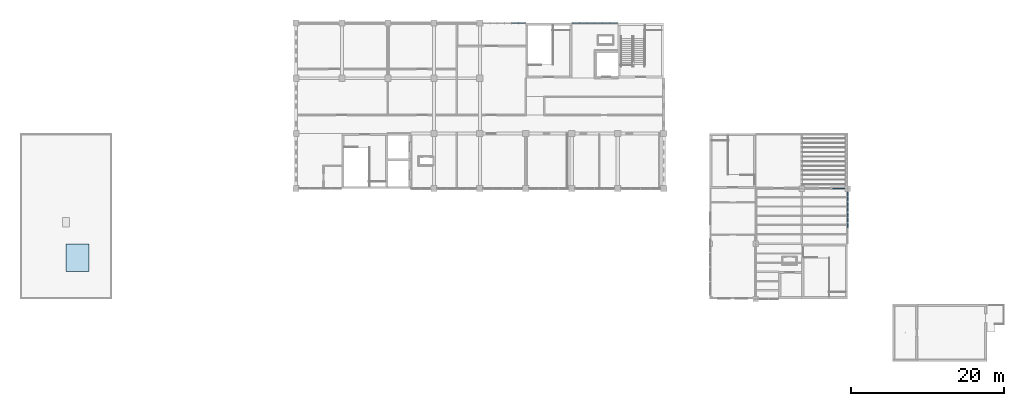
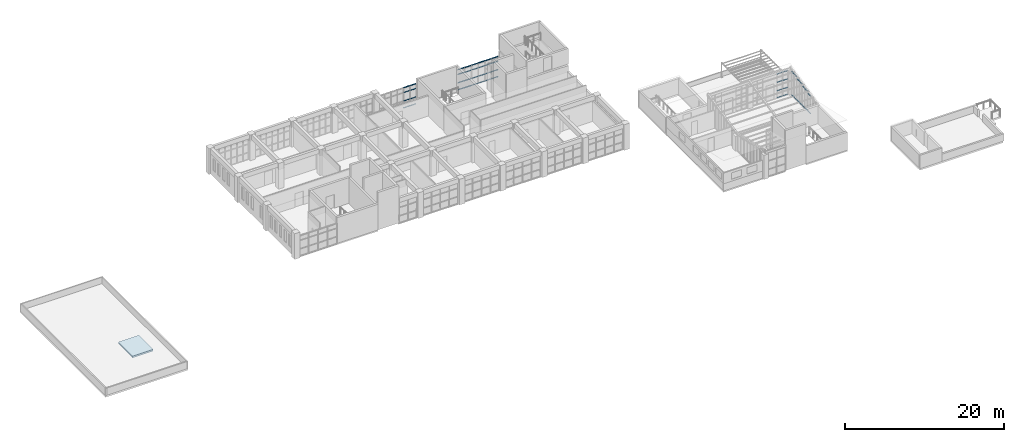
# One storey, part 30 of 51: 54 members, 1 slab, 7 elements without a shape of their own.
"""IFC4 building model written with IfcOpenShell, lengths in metres."""

from ifc_helpers import new_model, si_unit, direction, frame, origin, origin_2d, place, context, subcontext, project, spatial, polyline, hollow_rectangle, outline, extrude, material, layer, layer_set, material_profile, profile_set, type_object, element, aggregate, save


model = new_model("IFC4")

# Units and contexts
model_context = context("Model", 3, precision=1e-05, world=origin(), true_north=direction((0.0, 1.0)))
body_context = subcontext(model_context, "Body", "Model", "MODEL_VIEW")
ifc_project = project(units=[si_unit("LENGTHUNIT", "METRE"), si_unit("AREAUNIT", "SQUARE_METRE"), si_unit("VOLUMEUNIT", "CUBIC_METRE"), si_unit("PLANEANGLEUNIT", "RADIAN"), si_unit("MASSUNIT", "GRAM", prefix="KILO")], contexts=[model_context])

# Site, building, storey
site_placement = place(None, origin())
site = spatial("IfcSite", under=ifc_project, at=site_placement, CompositionType="ELEMENT")
building_placement = place(site_placement, origin())
building = spatial("IfcBuilding", under=site, at=building_placement, Name="Laocheng Heights Fire and Rescue Headquarters", CompositionType="ELEMENT")
storey_placement = place(building_placement, frame((0.0, 0.0, 21.0)))
storey = spatial("IfcBuildingStorey", under=building, at=storey_placement, Name="L05", CompositionType="ELEMENT", Elevation=21.0)

# Curtain wall, members
ifc_material_1 = material(Name="Dark anodised aluminium unitised curtain wall, low-e double glazing", Category="aluminium")
curtain_wall_type_1 = type_object("IfcCurtainWallType", Name="CW 1370 x 2733 CREW LOUNGE END UNIT", PredefinedType="NOTDEFINED", material=ifc_material_1)
curtain_wall_1_placement = place(storey_placement, origin())
curtain_wall_1 = element("IfcCurtainWall", 1, at=curtain_wall_1_placement, inside=storey, type_object=curtain_wall_type_1, Name="X22-W CREW LOUNGE EAST 43 2", PredefinedType="NOTDEFINED")
ifc_material_2 = material(Name="Dark anodised aluminium 6063-T5 extrusion", Category="aluminium")
ifc_material_profile_1 = material_profile(ifc_material_2, hollow_rectangle(XDim=0.10009765625, YDim=0.050048828125, WallThickness=0.0029296875, at=origin_2d()), Name="AL TRANSOM 100x50x3 CREW LOUNGE END UNIT")
ifc_profile_set_1 = profile_set([ifc_material_profile_1], Name="Dark anodised aluminium 6063-T5 extrusion")
member_type_1 = type_object("IfcMemberType", Name="AL TRANSOM 100x50x3 CREW LOUNGE END UNIT", PredefinedType="USERDEFINED", material=ifc_profile_set_1)
member_1_placement = place(storey_placement, frame((108.0, 45.284912109375, 0.02490234375), z_axis=(0.0, 1.0, 0.0), x_axis=(-1.0, 0.0, 0.0)))
member_1 = element("IfcMember", 2, at=member_1_placement, type_object=member_type_1, Name="X22-W transom 2.1", ObjectType="TRANSOM", PredefinedType="USERDEFINED", context=body_context, shape_type="SweptSolid", body=[
    extrude(hollow_rectangle(XDim=0.10009765625, YDim=0.050048828125, WallThickness=0.0029296875, at=origin_2d()), origin(), (0.0, 0.0, 1.0), 0.594970703125),
])
member_2_placement = place(storey_placement, frame((108.0, 45.284912109375, 2.70849609375), z_axis=(0.0, 1.0, 0.0), x_axis=(-1.0, 0.0, 0.0)))
member_2 = element("IfcMember", 3, at=member_2_placement, type_object=member_type_1, Name="X22-W transom 2.2", ObjectType="TRANSOM", PredefinedType="USERDEFINED", context=body_context, shape_type="SweptSolid", body=[
    extrude(hollow_rectangle(XDim=0.10009765625, YDim=0.050048828125, WallThickness=0.0029296875, at=origin_2d()), origin(), (0.0, 0.0, 1.0), 0.594970703125),
])
aggregate(curtain_wall_1, [member_1, member_2])

ifc_material_3 = material(Name="Dark anodised aluminium unitised curtain wall, low-e double glazing", Category="aluminium")
curtain_wall_type_2 = type_object("IfcCurtainWallType", Name="CW 1370 x 3038 CREW LOUNGE END UNIT", PredefinedType="NOTDEFINED", material=ifc_material_3)
curtain_wall_2_placement = place(storey_placement, origin())
curtain_wall_2 = element("IfcCurtainWall", 4, at=curtain_wall_2_placement, inside=storey, type_object=curtain_wall_type_2, Name="X23-W CREW LOUNGE EAST 43 3", PredefinedType="NOTDEFINED")
member_3_placement = place(storey_placement, frame((108.0, 46.0, 0.02490234375), z_axis=(0.0, 1.0, 0.0), x_axis=(-1.0, 0.0, 0.0)))
member_3 = element("IfcMember", 5, at=member_3_placement, type_object=member_type_1, Name="X23-W transom 1.1", ObjectType="TRANSOM", PredefinedType="USERDEFINED", context=body_context, shape_type="SweptSolid", body=[
    extrude(hollow_rectangle(XDim=0.10009765625, YDim=0.050048828125, WallThickness=0.0029296875, at=origin_2d()), origin(), (0.0, 0.0, 1.0), 0.594970703125),
])
member_4_placement = place(storey_placement, frame((108.0, 46.0, 3.012939453125), z_axis=(0.0, 1.0, 0.0), x_axis=(-1.0, 0.0, 0.0)))
member_4 = element("IfcMember", 6, at=member_4_placement, type_object=member_type_1, Name="X23-W transom 1.2", ObjectType="TRANSOM", PredefinedType="USERDEFINED", context=body_context, shape_type="SweptSolid", body=[
    extrude(hollow_rectangle(XDim=0.10009765625, YDim=0.050048828125, WallThickness=0.0029296875, at=origin_2d()), origin(), (0.0, 0.0, 1.0), 0.594970703125),
])
member_5_placement = place(storey_placement, frame((108.0, 46.655029296875, 0.02490234375), z_axis=(0.0, 1.0, 0.0), x_axis=(-1.0, 0.0, 0.0)))
member_5 = element("IfcMember", 7, at=member_5_placement, type_object=member_type_1, Name="X23-W transom 2.1", ObjectType="TRANSOM", PredefinedType="USERDEFINED", context=body_context, shape_type="SweptSolid", body=[
    extrude(hollow_rectangle(XDim=0.10009765625, YDim=0.050048828125, WallThickness=0.0029296875, at=origin_2d()), origin(), (0.0, 0.0, 1.0), 0.594970703125),
])
member_6_placement = place(storey_placement, frame((108.0, 46.655029296875, 3.012939453125), z_axis=(0.0, 1.0, 0.0), x_axis=(-1.0, 0.0, 0.0)))
member_6 = element("IfcMember", 8, at=member_6_placement, type_object=member_type_1, Name="X23-W transom 2.2", ObjectType="TRANSOM", PredefinedType="USERDEFINED", context=body_context, shape_type="SweptSolid", body=[
    extrude(hollow_rectangle(XDim=0.10009765625, YDim=0.050048828125, WallThickness=0.0029296875, at=origin_2d()), origin(), (0.0, 0.0, 1.0), 0.594970703125),
])
aggregate(curtain_wall_2, [member_3, member_4, member_5, member_6])

ifc_material_4 = material(Name="Dark anodised aluminium unitised curtain wall, low-e double glazing", Category="aluminium")
curtain_wall_type_3 = type_object("IfcCurtainWallType", Name="CW 1370 x 3342 CREW LOUNGE END UNIT", PredefinedType="NOTDEFINED", material=ifc_material_4)
curtain_wall_3_placement = place(storey_placement, origin())
curtain_wall_3 = element("IfcCurtainWall", 9, at=curtain_wall_3_placement, inside=storey, type_object=curtain_wall_type_3, Name="X24-W CREW LOUNGE EAST 43 4", PredefinedType="NOTDEFINED")
member_7_placement = place(storey_placement, frame((108.0, 47.3701171875, 0.02490234375), z_axis=(0.0, 1.0, 0.0), x_axis=(-1.0, 0.0, 0.0)))
member_7 = element("IfcMember", 10, at=member_7_placement, type_object=member_type_1, Name="X24-W transom 1.1", ObjectType="TRANSOM", PredefinedType="USERDEFINED", context=body_context, shape_type="SweptSolid", body=[
    extrude(hollow_rectangle(XDim=0.10009765625, YDim=0.050048828125, WallThickness=0.0029296875, at=origin_2d()), origin(), (0.0, 0.0, 1.0), 0.594970703125),
])
member_8_placement = place(storey_placement, frame((108.0, 47.3701171875, 3.3173828125), z_axis=(0.0, 1.0, 0.0), x_axis=(-1.0, 0.0, 0.0)))
member_8 = element("IfcMember", 11, at=member_8_placement, type_object=member_type_1, Name="X24-W transom 1.2", ObjectType="TRANSOM", PredefinedType="USERDEFINED", context=body_context, shape_type="SweptSolid", body=[
    extrude(hollow_rectangle(XDim=0.10009765625, YDim=0.050048828125, WallThickness=0.0029296875, at=origin_2d()), origin(), (0.0, 0.0, 1.0), 0.594970703125),
])
member_9_placement = place(storey_placement, frame((108.0, 48.02490234375, 0.02490234375), z_axis=(0.0, 1.0, 0.0), x_axis=(-1.0, 0.0, 0.0)))
member_9 = element("IfcMember", 12, at=member_9_placement, type_object=member_type_1, Name="X24-W transom 2.1", ObjectType="TRANSOM", PredefinedType="USERDEFINED", context=body_context, shape_type="SweptSolid", body=[
    extrude(hollow_rectangle(XDim=0.10009765625, YDim=0.050048828125, WallThickness=0.0029296875, at=origin_2d()), origin(), (0.0, 0.0, 1.0), 0.59521484375),
])
member_10_placement = place(storey_placement, frame((108.0, 48.02490234375, 3.3173828125), z_axis=(0.0, 1.0, 0.0), x_axis=(-1.0, 0.0, 0.0)))
member_10 = element("IfcMember", 13, at=member_10_placement, type_object=member_type_1, Name="X24-W transom 2.2", ObjectType="TRANSOM", PredefinedType="USERDEFINED", context=body_context, shape_type="SweptSolid", body=[
    extrude(hollow_rectangle(XDim=0.10009765625, YDim=0.050048828125, WallThickness=0.0029296875, at=origin_2d()), origin(), (0.0, 0.0, 1.0), 0.59521484375),
])
aggregate(curtain_wall_3, [member_7, member_8, member_9, member_10])

ifc_material_5 = material(Name="Dark anodised aluminium unitised curtain wall, low-e double glazing", Category="aluminium")
curtain_wall_type_4 = type_object("IfcCurtainWallType", Name="CW 1370 x 3647 CREW LOUNGE END UNIT", PredefinedType="NOTDEFINED", material=ifc_material_5)
curtain_wall_4_placement = place(storey_placement, origin())
curtain_wall_4 = element("IfcCurtainWall", 14, at=curtain_wall_4_placement, inside=storey, type_object=curtain_wall_type_4, Name="X25-W CREW LOUNGE EAST 43 5", PredefinedType="NOTDEFINED")
member_11_placement = place(storey_placement, frame((108.0, 48.739990234375, 0.02490234375), z_axis=(0.0, 1.0, 0.0), x_axis=(-1.0, 0.0, 0.0)))
member_11 = element("IfcMember", 15, at=member_11_placement, type_object=member_type_1, Name="X25-W transom 1.1", ObjectType="TRANSOM", PredefinedType="USERDEFINED", context=body_context, shape_type="SweptSolid", body=[
    extrude(hollow_rectangle(XDim=0.10009765625, YDim=0.050048828125, WallThickness=0.0029296875, at=origin_2d()), origin(), (0.0, 0.0, 1.0), 0.594970703125),
])
member_12_placement = place(storey_placement, frame((108.0, 48.739990234375, 3.621826171875), z_axis=(0.0, 1.0, 0.0), x_axis=(-1.0, 0.0, 0.0)))
member_12 = element("IfcMember", 16, at=member_12_placement, type_object=member_type_1, Name="X25-W transom 1.2", ObjectType="TRANSOM", PredefinedType="USERDEFINED", context=body_context, shape_type="SweptSolid", body=[
    extrude(hollow_rectangle(XDim=0.10009765625, YDim=0.050048828125, WallThickness=0.0029296875, at=origin_2d()), origin(), (0.0, 0.0, 1.0), 0.594970703125),
])
member_13_placement = place(storey_placement, frame((108.0, 49.39501953125, 0.02490234375), z_axis=(0.0, 1.0, 0.0), x_axis=(-1.0, 0.0, 0.0)))
member_13 = element("IfcMember", 17, at=member_13_placement, type_object=member_type_1, Name="X25-W transom 2.1", ObjectType="TRANSOM", PredefinedType="USERDEFINED", context=body_context, shape_type="SweptSolid", body=[
    extrude(hollow_rectangle(XDim=0.10009765625, YDim=0.050048828125, WallThickness=0.0029296875, at=origin_2d()), origin(), (0.0, 0.0, 1.0), 0.594970703125),
])
member_14_placement = place(storey_placement, frame((108.0, 49.39501953125, 3.621826171875), z_axis=(0.0, 1.0, 0.0), x_axis=(-1.0, 0.0, 0.0)))
member_14 = element("IfcMember", 18, at=member_14_placement, type_object=member_type_1, Name="X25-W transom 2.2", ObjectType="TRANSOM", PredefinedType="USERDEFINED", context=body_context, shape_type="SweptSolid", body=[
    extrude(hollow_rectangle(XDim=0.10009765625, YDim=0.050048828125, WallThickness=0.0029296875, at=origin_2d()), origin(), (0.0, 0.0, 1.0), 0.594970703125),
])
aggregate(curtain_wall_4, [member_11, member_12, member_13, member_14])

ifc_material_6 = material(Name="Dark anodised aluminium unitised curtain wall, low-e double glazing", Category="aluminium")
curtain_wall_type_5 = type_object("IfcCurtainWallType", Name="CW 1600 x 3714 CREW ROOF LOUNGE GLAZING", PredefinedType="NOTDEFINED", material=ifc_material_6)
curtain_wall_5_placement = place(storey_placement, origin())
curtain_wall_5 = element("IfcCurtainWall", 19, at=curtain_wall_5_placement, inside=storey, type_object=curtain_wall_type_5, Name="X11-W CREW LOUNGE NORTH L05", PredefinedType="NOTDEFINED")
ifc_material_7 = material(Name="Dark anodised aluminium 6063-T5 extrusion", Category="aluminium")
ifc_material_profile_2 = material_profile(ifc_material_7, hollow_rectangle(XDim=0.10009765625, YDim=0.050048828125, WallThickness=0.0029296875, at=origin_2d()), Name="AL TRANSOM 100x50x3 CREW ROOF LOUNGE GLAZING")
ifc_profile_set_2 = profile_set([ifc_material_profile_2], Name="Dark anodised aluminium 6063-T5 extrusion")
member_type_2 = type_object("IfcMemberType", Name="AL TRANSOM 100x50x3 CREW ROOF LOUNGE GLAZING", PredefinedType="USERDEFINED", material=ifc_profile_set_2)
member_15_placement = place(storey_placement, frame((106.050048828125, 50.39990234375, 0.02490234375), z_axis=(1.0, 0.0, 0.0), x_axis=(0.0, 1.0, 0.0)))
member_15 = element("IfcMember", 20, at=member_15_placement, type_object=member_type_2, Name="X11-W transom 1.1", ObjectType="TRANSOM", PredefinedType="USERDEFINED", context=body_context, shape_type="SweptSolid", body=[
    extrude(hollow_rectangle(XDim=0.10009765625, YDim=0.050048828125, WallThickness=0.0029296875, at=origin_2d()), origin(), (0.0, 0.0, 1.0), 0.77001953125),
])
member_16_placement = place(storey_placement, frame((106.050048828125, 50.39990234375, 1.10009765625), z_axis=(1.0, 0.0, 0.0), x_axis=(0.0, 1.0, 0.0)))
member_16 = element("IfcMember", 21, at=member_16_placement, type_object=member_type_2, Name="X11-W transom 1.2", ObjectType="TRANSOM", PredefinedType="USERDEFINED", context=body_context, shape_type="SweptSolid", body=[
    extrude(hollow_rectangle(XDim=0.10009765625, YDim=0.050048828125, WallThickness=0.0029296875, at=origin_2d()), origin(), (0.0, 0.0, 1.0), 0.77001953125),
])
member_17_placement = place(storey_placement, frame((106.050048828125, 50.39990234375, 2.39990234375), z_axis=(1.0, 0.0, 0.0), x_axis=(0.0, 1.0, 0.0)))
member_17 = element("IfcMember", 22, at=member_17_placement, type_object=member_type_2, Name="X11-W transom 1.3", ObjectType="TRANSOM", PredefinedType="USERDEFINED", context=body_context, shape_type="SweptSolid", body=[
    extrude(hollow_rectangle(XDim=0.10009765625, YDim=0.050048828125, WallThickness=0.0029296875, at=origin_2d()), origin(), (0.0, 0.0, 1.0), 0.77001953125),
])
member_18_placement = place(storey_placement, frame((106.050048828125, 50.39990234375, 3.689453125), z_axis=(1.0, 0.0, 0.0), x_axis=(0.0, 1.0, 0.0)))
member_18 = element("IfcMember", 23, at=member_18_placement, type_object=member_type_2, Name="X11-W transom 1.4", ObjectType="TRANSOM", PredefinedType="USERDEFINED", context=body_context, shape_type="SweptSolid", body=[
    extrude(hollow_rectangle(XDim=0.10009765625, YDim=0.050048828125, WallThickness=0.0029296875, at=origin_2d()), origin(), (0.0, 0.0, 1.0), 0.77001953125),
])
member_19_placement = place(storey_placement, frame((106.8798828125, 50.39990234375, 0.02490234375), z_axis=(1.0, 0.0, 0.0), x_axis=(0.0, 1.0, 0.0)))
member_19 = element("IfcMember", 24, at=member_19_placement, type_object=member_type_2, Name="X11-W transom 2.1", ObjectType="TRANSOM", PredefinedType="USERDEFINED", context=body_context, shape_type="SweptSolid", body=[
    extrude(hollow_rectangle(XDim=0.10009765625, YDim=0.050048828125, WallThickness=0.0029296875, at=origin_2d()), origin(), (0.0, 0.0, 1.0), 0.710205078125),
])
member_20_placement = place(storey_placement, frame((106.8798828125, 50.39990234375, 1.10009765625), z_axis=(1.0, 0.0, 0.0), x_axis=(0.0, 1.0, 0.0)))
member_20 = element("IfcMember", 25, at=member_20_placement, type_object=member_type_2, Name="X11-W transom 2.2", ObjectType="TRANSOM", PredefinedType="USERDEFINED", context=body_context, shape_type="SweptSolid", body=[
    extrude(hollow_rectangle(XDim=0.10009765625, YDim=0.050048828125, WallThickness=0.0029296875, at=origin_2d()), origin(), (0.0, 0.0, 1.0), 0.710205078125),
])
member_21_placement = place(storey_placement, frame((106.8798828125, 50.39990234375, 2.39990234375), z_axis=(1.0, 0.0, 0.0), x_axis=(0.0, 1.0, 0.0)))
member_21 = element("IfcMember", 26, at=member_21_placement, type_object=member_type_2, Name="X11-W transom 2.3", ObjectType="TRANSOM", PredefinedType="USERDEFINED", context=body_context, shape_type="SweptSolid", body=[
    extrude(hollow_rectangle(XDim=0.10009765625, YDim=0.050048828125, WallThickness=0.0029296875, at=origin_2d()), origin(), (0.0, 0.0, 1.0), 0.710205078125),
])
member_22_placement = place(storey_placement, frame((106.8798828125, 50.39990234375, 3.689453125), z_axis=(1.0, 0.0, 0.0), x_axis=(0.0, 1.0, 0.0)))
member_22 = element("IfcMember", 27, at=member_22_placement, type_object=member_type_2, Name="X11-W transom 2.4", ObjectType="TRANSOM", PredefinedType="USERDEFINED", context=body_context, shape_type="SweptSolid", body=[
    extrude(hollow_rectangle(XDim=0.10009765625, YDim=0.050048828125, WallThickness=0.0029296875, at=origin_2d()), origin(), (0.0, 0.0, 1.0), 0.710205078125),
])
aggregate(curtain_wall_5, [member_15, member_16, member_17, member_18, member_19, member_20, member_21, member_22])

ifc_material_8 = material(Name="Dark anodised aluminium unitised curtain wall, low-e double glazing", Category="aluminium")
curtain_wall_type_6 = type_object("IfcCurtainWallType", Name="CW 5600 x 3150 HQ NORTH GLAZING", PredefinedType="NOTDEFINED", material=ifc_material_8)
curtain_wall_6_placement = place(storey_placement, origin())
curtain_wall_6 = element("IfcCurtainWall", 28, at=curtain_wall_6_placement, inside=storey, type_object=curtain_wall_type_6, Name="X27-X HQ NORTH L05", PredefinedType="NOTDEFINED")
ifc_material_9 = material(Name="Dark anodised aluminium 6063-T5 extrusion", Category="aluminium")
ifc_material_profile_3 = material_profile(ifc_material_9, hollow_rectangle(XDim=0.10009765625, YDim=0.050048828125, WallThickness=0.0029296875, at=origin_2d()), Name="AL TRANSOM 100x50x3 HQ NORTH GLAZING")
ifc_profile_set_3 = profile_set([ifc_material_profile_3], Name="Dark anodised aluminium 6063-T5 extrusion")
member_type_3 = type_object("IfcMemberType", Name="AL TRANSOM 100x50x3 HQ NORTH GLAZING", PredefinedType="USERDEFINED", material=ifc_profile_set_3)
member_23_placement = place(storey_placement, frame((64.163330078125, 72.0, 0.02490234375), z_axis=(1.0, 0.0, 0.0), x_axis=(0.0, 1.0, 0.0)))
member_23 = element("IfcMember", 29, at=member_23_placement, type_object=member_type_3, Name="X27-X transom 5.1", ObjectType="TRANSOM", PredefinedType="USERDEFINED", context=body_context, shape_type="SweptSolid", body=[
    extrude(hollow_rectangle(XDim=0.10009765625, YDim=0.050048828125, WallThickness=0.0029296875, at=origin_2d()), origin(), (0.0, 0.0, 1.0), 0.873291015625),
])
member_24_placement = place(storey_placement, frame((64.163330078125, 72.0, 1.10009765625), z_axis=(1.0, 0.0, 0.0), x_axis=(0.0, 1.0, 0.0)))
member_24 = element("IfcMember", 30, at=member_24_placement, type_object=member_type_3, Name="X27-X transom 5.2", ObjectType="TRANSOM", PredefinedType="USERDEFINED", context=body_context, shape_type="SweptSolid", body=[
    extrude(hollow_rectangle(XDim=0.10009765625, YDim=0.050048828125, WallThickness=0.0029296875, at=origin_2d()), origin(), (0.0, 0.0, 1.0), 0.873291015625),
])
member_25_placement = place(storey_placement, frame((64.163330078125, 72.0, 2.39990234375), z_axis=(1.0, 0.0, 0.0), x_axis=(0.0, 1.0, 0.0)))
member_25 = element("IfcMember", 31, at=member_25_placement, type_object=member_type_3, Name="X27-X transom 5.3", ObjectType="TRANSOM", PredefinedType="USERDEFINED", context=body_context, shape_type="SweptSolid", body=[
    extrude(hollow_rectangle(XDim=0.10009765625, YDim=0.050048828125, WallThickness=0.0029296875, at=origin_2d()), origin(), (0.0, 0.0, 1.0), 0.873291015625),
])
member_26_placement = place(storey_placement, frame((64.163330078125, 72.0, 3.125), z_axis=(1.0, 0.0, 0.0), x_axis=(0.0, 1.0, 0.0)))
member_26 = element("IfcMember", 32, at=member_26_placement, type_object=member_type_3, Name="X27-X transom 5.4", ObjectType="TRANSOM", PredefinedType="USERDEFINED", context=body_context, shape_type="SweptSolid", body=[
    extrude(hollow_rectangle(XDim=0.10009765625, YDim=0.050048828125, WallThickness=0.0029296875, at=origin_2d()), origin(), (0.0, 0.0, 1.0), 0.873291015625),
])
member_27_placement = place(storey_placement, frame((65.0966796875, 72.0, 0.02490234375), z_axis=(1.0, 0.0, 0.0), x_axis=(0.0, 1.0, 0.0)))
member_27 = element("IfcMember", 33, at=member_27_placement, type_object=member_type_3, Name="X27-X transom 6.1", ObjectType="TRANSOM", PredefinedType="USERDEFINED", context=body_context, shape_type="SweptSolid", body=[
    extrude(hollow_rectangle(XDim=0.10009765625, YDim=0.050048828125, WallThickness=0.0029296875, at=origin_2d()), origin(), (0.0, 0.0, 1.0), 0.84326171875),
])
member_28_placement = place(storey_placement, frame((65.0966796875, 72.0, 1.10009765625), z_axis=(1.0, 0.0, 0.0), x_axis=(0.0, 1.0, 0.0)))
member_28 = element("IfcMember", 34, at=member_28_placement, type_object=member_type_3, Name="X27-X transom 6.2", ObjectType="TRANSOM", PredefinedType="USERDEFINED", context=body_context, shape_type="SweptSolid", body=[
    extrude(hollow_rectangle(XDim=0.10009765625, YDim=0.050048828125, WallThickness=0.0029296875, at=origin_2d()), origin(), (0.0, 0.0, 1.0), 0.84326171875),
])
member_29_placement = place(storey_placement, frame((65.0966796875, 72.0, 2.39990234375), z_axis=(1.0, 0.0, 0.0), x_axis=(0.0, 1.0, 0.0)))
member_29 = element("IfcMember", 35, at=member_29_placement, type_object=member_type_3, Name="X27-X transom 6.3", ObjectType="TRANSOM", PredefinedType="USERDEFINED", context=body_context, shape_type="SweptSolid", body=[
    extrude(hollow_rectangle(XDim=0.10009765625, YDim=0.050048828125, WallThickness=0.0029296875, at=origin_2d()), origin(), (0.0, 0.0, 1.0), 0.84326171875),
])
member_30_placement = place(storey_placement, frame((65.0966796875, 72.0, 3.125), z_axis=(1.0, 0.0, 0.0), x_axis=(0.0, 1.0, 0.0)))
member_30 = element("IfcMember", 36, at=member_30_placement, type_object=member_type_3, Name="X27-X transom 6.4", ObjectType="TRANSOM", PredefinedType="USERDEFINED", context=body_context, shape_type="SweptSolid", body=[
    extrude(hollow_rectangle(XDim=0.10009765625, YDim=0.050048828125, WallThickness=0.0029296875, at=origin_2d()), origin(), (0.0, 0.0, 1.0), 0.84326171875),
])
aggregate(curtain_wall_6, [member_23, member_24, member_25, member_26, member_27, member_28, member_29, member_30])

ifc_material_10 = material(Name="Dark anodised aluminium unitised curtain wall, low-e double glazing", Category="aluminium")
curtain_wall_type_7 = type_object("IfcCurtainWallType", Name="CW 6000 x 3150 HQ NORTH GLAZING", PredefinedType="NOTDEFINED", material=ifc_material_10)
curtain_wall_7_placement = place(storey_placement, origin())
curtain_wall_7 = element("IfcCurtainWall", 37, at=curtain_wall_7_placement, inside=storey, type_object=curtain_wall_type_7, Name="X28-X HQ NORTH L05", PredefinedType="NOTDEFINED")
member_31_placement = place(storey_placement, frame((72.06005859375, 72.0, 0.02490234375), z_axis=(1.0, 0.0, 0.0), x_axis=(0.0, 1.0, 0.0)))
member_31 = element("IfcMember", 38, at=member_31_placement, type_object=member_type_3, Name="X28-X transom 1.1", ObjectType="TRANSOM", PredefinedType="USERDEFINED", context=body_context, shape_type="SweptSolid", body=[
    extrude(hollow_rectangle(XDim=0.10009765625, YDim=0.050048828125, WallThickness=0.0029296875, at=origin_2d()), origin(), (0.0, 0.0, 1.0), 0.909912109375),
])
member_32_placement = place(storey_placement, frame((72.06005859375, 72.0, 1.10009765625), z_axis=(1.0, 0.0, 0.0), x_axis=(0.0, 1.0, 0.0)))
member_32 = element("IfcMember", 39, at=member_32_placement, type_object=member_type_3, Name="X28-X transom 1.2", ObjectType="TRANSOM", PredefinedType="USERDEFINED", context=body_context, shape_type="SweptSolid", body=[
    extrude(hollow_rectangle(XDim=0.10009765625, YDim=0.050048828125, WallThickness=0.0029296875, at=origin_2d()), origin(), (0.0, 0.0, 1.0), 0.909912109375),
])
member_33_placement = place(storey_placement, frame((72.06005859375, 72.0, 2.39990234375), z_axis=(1.0, 0.0, 0.0), x_axis=(0.0, 1.0, 0.0)))
member_33 = element("IfcMember", 40, at=member_33_placement, type_object=member_type_3, Name="X28-X transom 1.3", ObjectType="TRANSOM", PredefinedType="USERDEFINED", context=body_context, shape_type="SweptSolid", body=[
    extrude(hollow_rectangle(XDim=0.10009765625, YDim=0.050048828125, WallThickness=0.0029296875, at=origin_2d()), origin(), (0.0, 0.0, 1.0), 0.909912109375),
])
member_34_placement = place(storey_placement, frame((72.06005859375, 72.0, 3.125), z_axis=(1.0, 0.0, 0.0), x_axis=(0.0, 1.0, 0.0)))
member_34 = element("IfcMember", 41, at=member_34_placement, type_object=member_type_3, Name="X28-X transom 1.4", ObjectType="TRANSOM", PredefinedType="USERDEFINED", context=body_context, shape_type="SweptSolid", body=[
    extrude(hollow_rectangle(XDim=0.10009765625, YDim=0.050048828125, WallThickness=0.0029296875, at=origin_2d()), origin(), (0.0, 0.0, 1.0), 0.909912109375),
])
member_35_placement = place(storey_placement, frame((73.030029296875, 72.0, 0.02490234375), z_axis=(1.0, 0.0, 0.0), x_axis=(0.0, 1.0, 0.0)))
member_35 = element("IfcMember", 42, at=member_35_placement, type_object=member_type_3, Name="X28-X transom 2.1", ObjectType="TRANSOM", PredefinedType="USERDEFINED", context=body_context, shape_type="SweptSolid", body=[
    extrude(hollow_rectangle(XDim=0.10009765625, YDim=0.050048828125, WallThickness=0.0029296875, at=origin_2d()), origin(), (0.0, 0.0, 1.0), 0.93994140625),
])
member_36_placement = place(storey_placement, frame((73.030029296875, 72.0, 1.10009765625), z_axis=(1.0, 0.0, 0.0), x_axis=(0.0, 1.0, 0.0)))
member_36 = element("IfcMember", 43, at=member_36_placement, type_object=member_type_3, Name="X28-X transom 2.2", ObjectType="TRANSOM", PredefinedType="USERDEFINED", context=body_context, shape_type="SweptSolid", body=[
    extrude(hollow_rectangle(XDim=0.10009765625, YDim=0.050048828125, WallThickness=0.0029296875, at=origin_2d()), origin(), (0.0, 0.0, 1.0), 0.93994140625),
])
member_37_placement = place(storey_placement, frame((73.030029296875, 72.0, 2.39990234375), z_axis=(1.0, 0.0, 0.0), x_axis=(0.0, 1.0, 0.0)))
member_37 = element("IfcMember", 44, at=member_37_placement, type_object=member_type_3, Name="X28-X transom 2.3", ObjectType="TRANSOM", PredefinedType="USERDEFINED", context=body_context, shape_type="SweptSolid", body=[
    extrude(hollow_rectangle(XDim=0.10009765625, YDim=0.050048828125, WallThickness=0.0029296875, at=origin_2d()), origin(), (0.0, 0.0, 1.0), 0.93994140625),
])
member_38_placement = place(storey_placement, frame((73.030029296875, 72.0, 3.125), z_axis=(1.0, 0.0, 0.0), x_axis=(0.0, 1.0, 0.0)))
member_38 = element("IfcMember", 45, at=member_38_placement, type_object=member_type_3, Name="X28-X transom 2.4", ObjectType="TRANSOM", PredefinedType="USERDEFINED", context=body_context, shape_type="SweptSolid", body=[
    extrude(hollow_rectangle(XDim=0.10009765625, YDim=0.050048828125, WallThickness=0.0029296875, at=origin_2d()), origin(), (0.0, 0.0, 1.0), 0.93994140625),
])
member_39_placement = place(storey_placement, frame((74.030029296875, 72.0, 0.02490234375), z_axis=(1.0, 0.0, 0.0), x_axis=(0.0, 1.0, 0.0)))
member_39 = element("IfcMember", 46, at=member_39_placement, type_object=member_type_3, Name="X28-X transom 3.1", ObjectType="TRANSOM", PredefinedType="USERDEFINED", context=body_context, shape_type="SweptSolid", body=[
    extrude(hollow_rectangle(XDim=0.10009765625, YDim=0.050048828125, WallThickness=0.0029296875, at=origin_2d()), origin(), (0.0, 0.0, 1.0), 0.93994140625),
])
member_40_placement = place(storey_placement, frame((74.030029296875, 72.0, 1.10009765625), z_axis=(1.0, 0.0, 0.0), x_axis=(0.0, 1.0, 0.0)))
member_40 = element("IfcMember", 47, at=member_40_placement, type_object=member_type_3, Name="X28-X transom 3.2", ObjectType="TRANSOM", PredefinedType="USERDEFINED", context=body_context, shape_type="SweptSolid", body=[
    extrude(hollow_rectangle(XDim=0.10009765625, YDim=0.050048828125, WallThickness=0.0029296875, at=origin_2d()), origin(), (0.0, 0.0, 1.0), 0.93994140625),
])
member_41_placement = place(storey_placement, frame((74.030029296875, 72.0, 2.39990234375), z_axis=(1.0, 0.0, 0.0), x_axis=(0.0, 1.0, 0.0)))
member_41 = element("IfcMember", 48, at=member_41_placement, type_object=member_type_3, Name="X28-X transom 3.3", ObjectType="TRANSOM", PredefinedType="USERDEFINED", context=body_context, shape_type="SweptSolid", body=[
    extrude(hollow_rectangle(XDim=0.10009765625, YDim=0.050048828125, WallThickness=0.0029296875, at=origin_2d()), origin(), (0.0, 0.0, 1.0), 0.93994140625),
])
member_42_placement = place(storey_placement, frame((74.030029296875, 72.0, 3.125), z_axis=(1.0, 0.0, 0.0), x_axis=(0.0, 1.0, 0.0)))
member_42 = element("IfcMember", 49, at=member_42_placement, type_object=member_type_3, Name="X28-X transom 3.4", ObjectType="TRANSOM", PredefinedType="USERDEFINED", context=body_context, shape_type="SweptSolid", body=[
    extrude(hollow_rectangle(XDim=0.10009765625, YDim=0.050048828125, WallThickness=0.0029296875, at=origin_2d()), origin(), (0.0, 0.0, 1.0), 0.93994140625),
])
member_43_placement = place(storey_placement, frame((75.030029296875, 72.0, 0.02490234375), z_axis=(1.0, 0.0, 0.0), x_axis=(0.0, 1.0, 0.0)))
member_43 = element("IfcMember", 50, at=member_43_placement, type_object=member_type_3, Name="X28-X transom 4.1", ObjectType="TRANSOM", PredefinedType="USERDEFINED", context=body_context, shape_type="SweptSolid", body=[
    extrude(hollow_rectangle(XDim=0.10009765625, YDim=0.050048828125, WallThickness=0.0029296875, at=origin_2d()), origin(), (0.0, 0.0, 1.0), 0.93994140625),
])
member_44_placement = place(storey_placement, frame((75.030029296875, 72.0, 1.10009765625), z_axis=(1.0, 0.0, 0.0), x_axis=(0.0, 1.0, 0.0)))
member_44 = element("IfcMember", 51, at=member_44_placement, type_object=member_type_3, Name="X28-X transom 4.2", ObjectType="TRANSOM", PredefinedType="USERDEFINED", context=body_context, shape_type="SweptSolid", body=[
    extrude(hollow_rectangle(XDim=0.10009765625, YDim=0.050048828125, WallThickness=0.0029296875, at=origin_2d()), origin(), (0.0, 0.0, 1.0), 0.93994140625),
])
member_45_placement = place(storey_placement, frame((75.030029296875, 72.0, 2.39990234375), z_axis=(1.0, 0.0, 0.0), x_axis=(0.0, 1.0, 0.0)))
member_45 = element("IfcMember", 52, at=member_45_placement, type_object=member_type_3, Name="X28-X transom 4.3", ObjectType="TRANSOM", PredefinedType="USERDEFINED", context=body_context, shape_type="SweptSolid", body=[
    extrude(hollow_rectangle(XDim=0.10009765625, YDim=0.050048828125, WallThickness=0.0029296875, at=origin_2d()), origin(), (0.0, 0.0, 1.0), 0.93994140625),
])
member_46_placement = place(storey_placement, frame((75.030029296875, 72.0, 3.125), z_axis=(1.0, 0.0, 0.0), x_axis=(0.0, 1.0, 0.0)))
member_46 = element("IfcMember", 53, at=member_46_placement, type_object=member_type_3, Name="X28-X transom 4.4", ObjectType="TRANSOM", PredefinedType="USERDEFINED", context=body_context, shape_type="SweptSolid", body=[
    extrude(hollow_rectangle(XDim=0.10009765625, YDim=0.050048828125, WallThickness=0.0029296875, at=origin_2d()), origin(), (0.0, 0.0, 1.0), 0.93994140625),
])
member_47_placement = place(storey_placement, frame((76.030029296875, 72.0, 0.02490234375), z_axis=(1.0, 0.0, 0.0), x_axis=(0.0, 1.0, 0.0)))
member_47 = element("IfcMember", 54, at=member_47_placement, type_object=member_type_3, Name="X28-X transom 5.1", ObjectType="TRANSOM", PredefinedType="USERDEFINED", context=body_context, shape_type="SweptSolid", body=[
    extrude(hollow_rectangle(XDim=0.10009765625, YDim=0.050048828125, WallThickness=0.0029296875, at=origin_2d()), origin(), (0.0, 0.0, 1.0), 0.93994140625),
])
member_48_placement = place(storey_placement, frame((76.030029296875, 72.0, 1.10009765625), z_axis=(1.0, 0.0, 0.0), x_axis=(0.0, 1.0, 0.0)))
member_48 = element("IfcMember", 55, at=member_48_placement, type_object=member_type_3, Name="X28-X transom 5.2", ObjectType="TRANSOM", PredefinedType="USERDEFINED", context=body_context, shape_type="SweptSolid", body=[
    extrude(hollow_rectangle(XDim=0.10009765625, YDim=0.050048828125, WallThickness=0.0029296875, at=origin_2d()), origin(), (0.0, 0.0, 1.0), 0.93994140625),
])
member_49_placement = place(storey_placement, frame((76.030029296875, 72.0, 2.39990234375), z_axis=(1.0, 0.0, 0.0), x_axis=(0.0, 1.0, 0.0)))
member_49 = element("IfcMember", 56, at=member_49_placement, type_object=member_type_3, Name="X28-X transom 5.3", ObjectType="TRANSOM", PredefinedType="USERDEFINED", context=body_context, shape_type="SweptSolid", body=[
    extrude(hollow_rectangle(XDim=0.10009765625, YDim=0.050048828125, WallThickness=0.0029296875, at=origin_2d()), origin(), (0.0, 0.0, 1.0), 0.93994140625),
])
member_50_placement = place(storey_placement, frame((76.030029296875, 72.0, 3.125), z_axis=(1.0, 0.0, 0.0), x_axis=(0.0, 1.0, 0.0)))
member_50 = element("IfcMember", 57, at=member_50_placement, type_object=member_type_3, Name="X28-X transom 5.4", ObjectType="TRANSOM", PredefinedType="USERDEFINED", context=body_context, shape_type="SweptSolid", body=[
    extrude(hollow_rectangle(XDim=0.10009765625, YDim=0.050048828125, WallThickness=0.0029296875, at=origin_2d()), origin(), (0.0, 0.0, 1.0), 0.93994140625),
])
member_51_placement = place(storey_placement, frame((77.030029296875, 72.0, 0.02490234375), z_axis=(1.0, 0.0, 0.0), x_axis=(0.0, 1.0, 0.0)))
member_51 = element("IfcMember", 58, at=member_51_placement, type_object=member_type_3, Name="X28-X transom 6.1", ObjectType="TRANSOM", PredefinedType="USERDEFINED", context=body_context, shape_type="SweptSolid", body=[
    extrude(hollow_rectangle(XDim=0.10009765625, YDim=0.050048828125, WallThickness=0.0029296875, at=origin_2d()), origin(), (0.0, 0.0, 1.0), 0.909912109375),
])
member_52_placement = place(storey_placement, frame((77.030029296875, 72.0, 1.10009765625), z_axis=(1.0, 0.0, 0.0), x_axis=(0.0, 1.0, 0.0)))
member_52 = element("IfcMember", 59, at=member_52_placement, type_object=member_type_3, Name="X28-X transom 6.2", ObjectType="TRANSOM", PredefinedType="USERDEFINED", context=body_context, shape_type="SweptSolid", body=[
    extrude(hollow_rectangle(XDim=0.10009765625, YDim=0.050048828125, WallThickness=0.0029296875, at=origin_2d()), origin(), (0.0, 0.0, 1.0), 0.909912109375),
])
member_53_placement = place(storey_placement, frame((77.030029296875, 72.0, 2.39990234375), z_axis=(1.0, 0.0, 0.0), x_axis=(0.0, 1.0, 0.0)))
member_53 = element("IfcMember", 60, at=member_53_placement, type_object=member_type_3, Name="X28-X transom 6.3", ObjectType="TRANSOM", PredefinedType="USERDEFINED", context=body_context, shape_type="SweptSolid", body=[
    extrude(hollow_rectangle(XDim=0.10009765625, YDim=0.050048828125, WallThickness=0.0029296875, at=origin_2d()), origin(), (0.0, 0.0, 1.0), 0.909912109375),
])
member_54_placement = place(storey_placement, frame((77.030029296875, 72.0, 3.125), z_axis=(1.0, 0.0, 0.0), x_axis=(0.0, 1.0, 0.0)))
member_54 = element("IfcMember", 61, at=member_54_placement, type_object=member_type_3, Name="X28-X transom 6.4", ObjectType="TRANSOM", PredefinedType="USERDEFINED", context=body_context, shape_type="SweptSolid", body=[
    extrude(hollow_rectangle(XDim=0.10009765625, YDim=0.050048828125, WallThickness=0.0029296875, at=origin_2d()), origin(), (0.0, 0.0, 1.0), 0.909912109375),
])
aggregate(curtain_wall_7, [member_31, member_32, member_33, member_34, member_35, member_36, member_37, member_38, member_39, member_40, member_41, member_42, member_43, member_44, member_45, member_46, member_47, member_48, member_49, member_50, member_51, member_52, member_53, member_54])

# Slab
ifc_material_11 = material(Name="Concrete C40", Category="concrete")
ifc_layer = layer(ifc_material_11, 0.25)
ifc_layer_set = layer_set([ifc_layer], Name="Concrete C40")
slab_type = type_object("IfcSlabType", Name="RC LIFT HOUSING ROOF SLAB 250", PredefinedType="ROOF", material=ifc_layer_set)
slab_placement = place(storey_placement, frame((0.0, 0.0, 1.550048828125)))
element("IfcSlab", 62, at=slab_placement, inside=storey, type_object=slab_type, Name="Lift overrun roof slab P-L1", PredefinedType="ROOF", context=body_context, shape_type="SweptSolid", body=[
    extrude(outline(polyline([(6.0, 39.60009765625), (9.0, 39.60009765625), (9.0, 43.199951171875), (6.0, 43.199951171875), (6.0, 39.60009765625)])), origin(), (0.0, 0.0, 1.0), 0.25),
])

save(model, "model.ifc")
